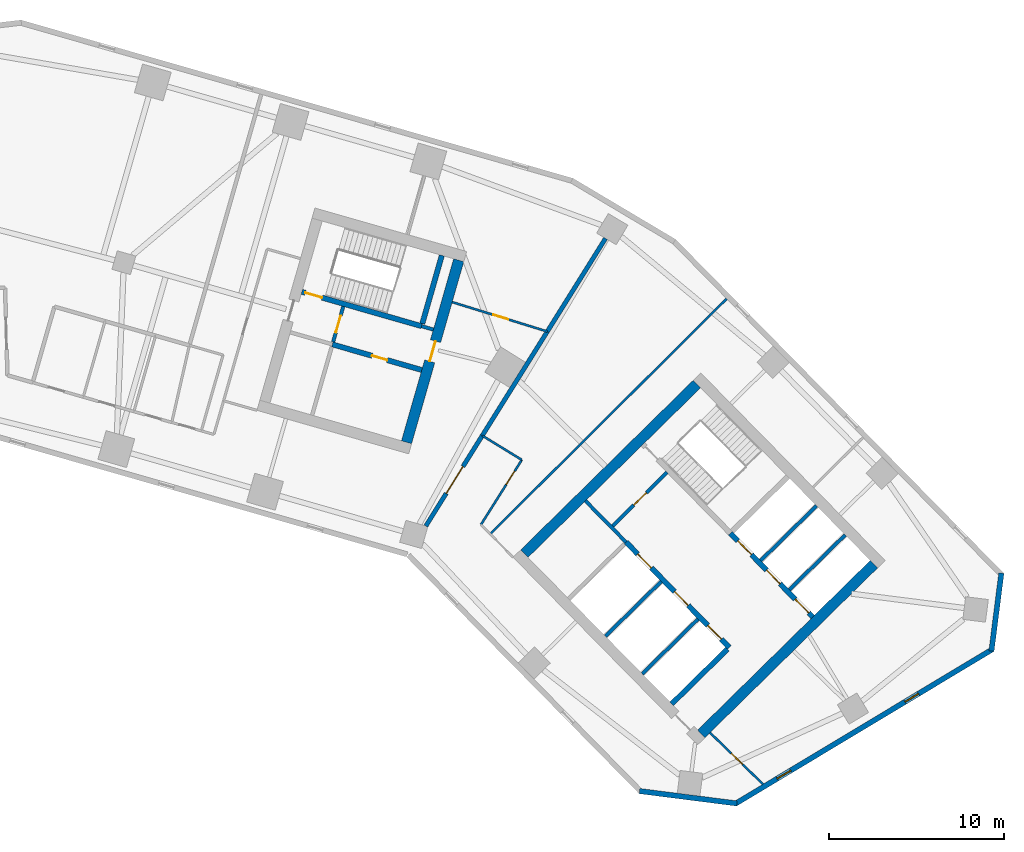
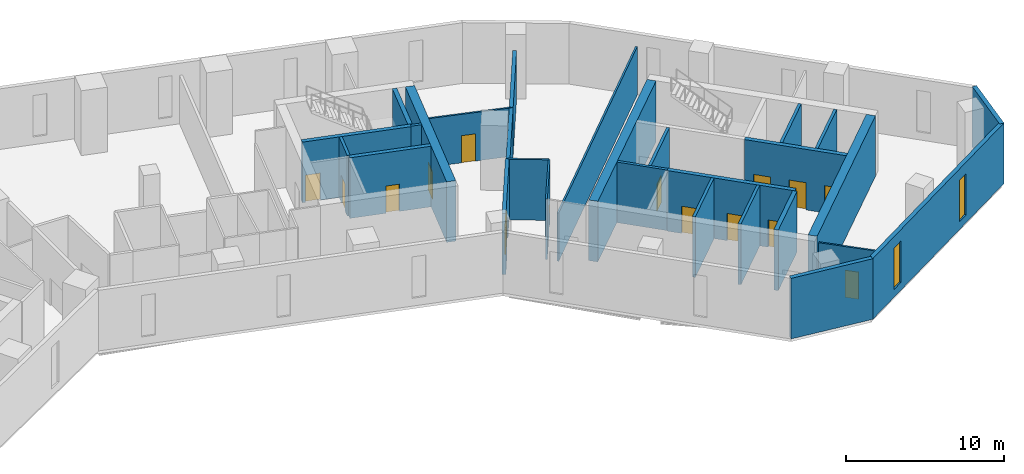
# One storey, part 6 of 10: 28 walls, 15 doors, 2 windows, 17 openings.
"""IFC4 building model written with IfcOpenShell, lengths in metres."""

from ifc_helpers import new_model, si_unit, direction, frame, frame_2d, origin, place, context, subcontext, project, spatial, rectangle, extrude, material, layer, layer_set, type_object, element, fill, save


model = new_model("IFC4")

# Units and contexts
model_context = context("Model", 3, precision=1e-05, world=origin(), true_north=direction((0.0, 1.0)))
body_context = subcontext(model_context, "Body", "Model", "MODEL_VIEW")
ifc_project = project(units=[si_unit("LENGTHUNIT", "METRE"), si_unit("AREAUNIT", "SQUARE_METRE"), si_unit("VOLUMEUNIT", "CUBIC_METRE"), si_unit("PLANEANGLEUNIT", "RADIAN"), si_unit("MASSUNIT", "GRAM", prefix="KILO")], contexts=[model_context])

# Site, building, storey
site_placement = place(None, origin())
site = spatial("IfcSite", under=ifc_project, at=site_placement, CompositionType="ELEMENT")
building_placement = place(site_placement, origin())
building = spatial("IfcBuilding", under=site, at=building_placement, Name="Binnacle Exchange Tower", CompositionType="ELEMENT")
storey_placement = place(building_placement, frame((0.0, 0.0, 61.5)))
storey = spatial("IfcBuildingStorey", under=building, at=storey_placement, Name="L12", CompositionType="ELEMENT", Elevation=61.5)

# Wall, openings, doors
ifc_material_1 = material(Name="Concrete C70/85", Category="concrete")
ifc_layer_1 = layer(ifc_material_1, 0.300048828125)
ifc_layer_set_1 = layer_set([ifc_layer_1], Name="Core wall - front 300")
wall_type_1 = type_object("IfcWallType", Name="Core wall - front 300", PredefinedType="SOLIDWALL", material=ifc_layer_set_1)
wall_1_placement = place(storey_placement, frame((37.8740234375, 41.41552734375, 0.0), z_axis=(0.0, 0.0, 1.0), x_axis=(0.700918271237, -0.71324159795, 0.0)))
wall_1 = element("IfcWall", 1, at=wall_1_placement, inside=storey, type_object=wall_type_1, Name="Core wall CRWB3", PredefinedType="SOLIDWALL", context=body_context, shape_type="SweptSolid", body=[
    extrude(rectangle(XDim=8.39990234375, YDim=0.300048828125, at=frame_2d((4.199951171875, 0.0))), origin(), (0.0, 0.0, 1.0), 4.679931640625),
])
opening_1_placement = place(wall_1_placement, frame((0.949951171875, 0.0, 0.0)))
opening_1 = element("IfcOpeningElement", 2, at=opening_1_placement, cuts=wall_1, Name="Opening LD15", PredefinedType="OPENING", context=body_context, shape_type="SweptSolid", body=[
    extrude(rectangle(XDim=1.10009765625, YDim=2.10009765625, at=frame_2d((0.550048828125, 1.050048828125))), frame((0.0, 0.159912109375, 0.0), z_axis=(0.0, -1.0, 0.0), x_axis=(1.0, 0.0, 0.0)), (0.0, 0.0, 1.0), 0.320068359375),
])
opening_2_placement = place(wall_1_placement, frame((3.949951171875, 0.0, 0.0)))
opening_2 = element("IfcOpeningElement", 3, at=opening_2_placement, cuts=wall_1, Name="Opening LD16", PredefinedType="OPENING", context=body_context, shape_type="SweptSolid", body=[
    extrude(rectangle(XDim=1.10009765625, YDim=2.10009765625, at=frame_2d((0.550048828125, 1.050048828125))), frame((0.0, 0.159912109375, 0.0), z_axis=(0.0, -1.0, 0.0), x_axis=(1.0, 0.0, 0.0)), (0.0, 0.0, 1.0), 0.320068359375),
])
opening_3_placement = place(wall_1_placement, frame((6.64990234375, 0.0, 0.0)))
opening_3 = element("IfcOpeningElement", 4, at=opening_3_placement, cuts=wall_1, Name="Opening LD4", PredefinedType="OPENING", context=body_context, shape_type="SweptSolid", body=[
    extrude(rectangle(XDim=1.10009765625, YDim=2.10009765625, at=frame_2d((0.550048828125, 1.050048828125))), frame((0.0, 0.159912109375, 0.0), z_axis=(0.0, -1.0, 0.0), x_axis=(1.0, 0.0, 0.0)), (0.0, 0.0, 1.0), 0.320068359375),
])
ifc_material_2 = material(Name="Steel door leaf", Category="steel")
door_type_1 = type_object("IfcDoorType", Name="Fire door - lift landing 1100", OperationType="NOTDEFINED", PredefinedType="DOOR", material=ifc_material_2)
door_1_placement = place(opening_1_placement, origin())
door_1 = element("IfcDoor", 5, at=door_1_placement, inside=storey, type_object=door_type_1, Name="Landing door LD15 L12", OperationType="DOUBLE_DOOR_SLIDING", OverallHeight=2.10009765625, OverallWidth=1.10009765625, PredefinedType="DOOR", context=body_context, shape_type="SweptSolid", body=[
    extrude(rectangle(XDim=1.10009765625, YDim=2.10009765625, at=frame_2d((0.550048828125, 1.050048828125))), frame((0.0, 0.02490234375, 0.0), z_axis=(0.0, -1.0, 0.0), x_axis=(1.0, 0.0, 0.0)), (0.0, 0.0, 1.0), 0.050048828125),
])
fill(opening_1, door_1)
door_2_placement = place(opening_2_placement, origin())
door_2 = element("IfcDoor", 6, at=door_2_placement, inside=storey, type_object=door_type_1, Name="Landing door LD16 L12", OperationType="DOUBLE_DOOR_SLIDING", OverallHeight=2.10009765625, OverallWidth=1.10009765625, PredefinedType="DOOR", context=body_context, shape_type="SweptSolid", body=[
    extrude(rectangle(XDim=1.10009765625, YDim=2.10009765625, at=frame_2d((0.550048828125, 1.050048828125))), frame((0.0, 0.02490234375, 0.0), z_axis=(0.0, -1.0, 0.0), x_axis=(1.0, 0.0, 0.0)), (0.0, 0.0, 1.0), 0.050048828125),
])
fill(opening_2, door_2)
door_3_placement = place(opening_3_placement, origin())
door_3 = element("IfcDoor", 7, at=door_3_placement, inside=storey, type_object=door_type_1, Name="Landing door LD4 L12", OperationType="DOUBLE_DOOR_SLIDING", OverallHeight=2.10009765625, OverallWidth=1.10009765625, PredefinedType="DOOR", context=body_context, shape_type="SweptSolid", body=[
    extrude(rectangle(XDim=1.10009765625, YDim=2.10009765625, at=frame_2d((0.550048828125, 1.050048828125))), frame((0.0, 0.02490234375, 0.0), z_axis=(0.0, -1.0, 0.0), x_axis=(1.0, 0.0, 0.0)), (0.0, 0.0, 1.0), 0.050048828125),
])
fill(opening_3, door_3)

wall_2_placement = place(storey_placement, frame((43.818603515625, 41.92919921875, 0.0), z_axis=(0.0, 0.0, 1.0), x_axis=(0.700921619155, -0.713238307862, 0.0)))
wall_2 = element("IfcWall", 8, at=wall_2_placement, inside=storey, type_object=wall_type_1, Name="Core wall CRWB5", PredefinedType="SOLIDWALL", context=body_context, shape_type="SweptSolid", body=[
    extrude(rectangle(XDim=6.69970703125, YDim=0.300048828125, at=frame_2d((3.349853515625, 0.0))), origin(), (0.0, 0.0, 1.0), 4.679931640625),
])
opening_4_placement = place(wall_2_placement, frame((0.614990234375, 0.0, 0.0)))
opening_4 = element("IfcOpeningElement", 9, at=opening_4_placement, cuts=wall_2, Name="Opening LD1", PredefinedType="OPENING", context=body_context, shape_type="SweptSolid", body=[
    extrude(rectangle(XDim=1.10009765625, YDim=2.10009765625, at=frame_2d((0.550048828125, 1.050048828125))), frame((0.0, 0.159912109375, 0.0), z_axis=(0.0, -1.0, 0.0), x_axis=(1.0, 0.0, 0.0)), (0.0, 0.0, 1.0), 0.320068359375),
])
opening_5_placement = place(wall_2_placement, frame((2.945068359375, 0.0, 0.0)))
opening_5 = element("IfcOpeningElement", 10, at=opening_5_placement, cuts=wall_2, Name="Opening LD2", PredefinedType="OPENING", context=body_context, shape_type="SweptSolid", body=[
    extrude(rectangle(XDim=1.10009765625, YDim=2.10009765625, at=frame_2d((0.550048828125, 1.050048828125))), frame((0.0, 0.159912109375, 0.0), z_axis=(0.0, -1.0, 0.0), x_axis=(1.0, 0.0, 0.0)), (0.0, 0.0, 1.0), 0.320068359375),
])
opening_6_placement = place(wall_2_placement, frame((5.280029296875, 0.0, 0.0)))
opening_6 = element("IfcOpeningElement", 11, at=opening_6_placement, cuts=wall_2, Name="Opening LD3", PredefinedType="OPENING", context=body_context, shape_type="SweptSolid", body=[
    extrude(rectangle(XDim=1.10009765625, YDim=2.10009765625, at=frame_2d((0.550048828125, 1.050048828125))), frame((0.0, 0.159912109375, 0.0), z_axis=(0.0, -1.0, 0.0), x_axis=(1.0, 0.0, 0.0)), (0.0, 0.0, 1.0), 0.320068359375),
])
door_4_placement = place(opening_4_placement, origin())
door_4 = element("IfcDoor", 12, at=door_4_placement, inside=storey, type_object=door_type_1, Name="Landing door LD1 L12", OperationType="DOUBLE_DOOR_SLIDING", OverallHeight=2.10009765625, OverallWidth=1.10009765625, PredefinedType="DOOR", context=body_context, shape_type="SweptSolid", body=[
    extrude(rectangle(XDim=1.10009765625, YDim=2.10009765625, at=frame_2d((0.550048828125, 1.050048828125))), frame((0.0, 0.02490234375, 0.0), z_axis=(0.0, -1.0, 0.0), x_axis=(1.0, 0.0, 0.0)), (0.0, 0.0, 1.0), 0.050048828125),
])
fill(opening_4, door_4)
door_5_placement = place(opening_5_placement, origin())
door_5 = element("IfcDoor", 13, at=door_5_placement, inside=storey, type_object=door_type_1, Name="Landing door LD2 L12", OperationType="DOUBLE_DOOR_SLIDING", OverallHeight=2.10009765625, OverallWidth=1.10009765625, PredefinedType="DOOR", context=body_context, shape_type="SweptSolid", body=[
    extrude(rectangle(XDim=1.10009765625, YDim=2.10009765625, at=frame_2d((0.550048828125, 1.050048828125))), frame((0.0, 0.02490234375, 0.0), z_axis=(0.0, -1.0, 0.0), x_axis=(1.0, 0.0, 0.0)), (0.0, 0.0, 1.0), 0.050048828125),
])
fill(opening_5, door_5)
door_6_placement = place(opening_6_placement, origin())
door_6 = element("IfcDoor", 14, at=door_6_placement, inside=storey, type_object=door_type_1, Name="Landing door LD3 L12", OperationType="DOUBLE_DOOR_SLIDING", OverallHeight=2.10009765625, OverallWidth=1.10009765625, PredefinedType="DOOR", context=body_context, shape_type="SweptSolid", body=[
    extrude(rectangle(XDim=1.10009765625, YDim=2.10009765625, at=frame_2d((0.550048828125, 1.050048828125))), frame((0.0, 0.02490234375, 0.0), z_axis=(0.0, -1.0, 0.0), x_axis=(1.0, 0.0, 0.0)), (0.0, 0.0, 1.0), 0.050048828125),
])
fill(opening_6, door_6)

# Wall
wall_3_placement = place(storey_placement, frame((40.480712890625, 32.199951171875, 0.0), z_axis=(0.0, 0.0, 1.0), x_axis=(0.713251741427, 0.700907949271, 0.0)))
element("IfcWall", 15, at=wall_3_placement, inside=storey, type_object=wall_type_1, Name="Core wall CRWB14", PredefinedType="SOLIDWALL", context=body_context, shape_type="SweptSolid", body=[
    extrude(rectangle(XDim=4.4501953125, YDim=0.300048828125, at=frame_2d((2.22509765625, 0.0))), origin(), (0.0, 0.0, 1.0), 4.679931640625),
])

# Wall, opening, door
wall_4_placement = place(storey_placement, frame((21.130859375, 52.6923828125, 0.0), z_axis=(0.0, 0.0, 1.0), x_axis=(0.961271492568, -0.275603188616, 0.0)))
wall_4 = element("IfcWall", 16, at=wall_4_placement, inside=storey, type_object=wall_type_1, Name="Core wall CRWD3", PredefinedType="SOLIDWALL", context=body_context, shape_type="SweptSolid", body=[
    extrude(rectangle(XDim=5.300048828125, YDim=0.300048828125, at=frame_2d((2.64990234375, 0.0))), origin(), (0.0, 0.0, 1.0), 4.679931640625),
])
opening_7_placement = place(wall_4_placement, frame((2.35009765625, 0.0, 0.0)))
opening_7 = element("IfcOpeningElement", 17, at=opening_7_placement, cuts=wall_4, Name="Opening DD10", PredefinedType="OPENING", context=body_context, shape_type="SweptSolid", body=[
    extrude(rectangle(XDim=0.89990234375, YDim=2.10009765625, at=frame_2d((0.449951171875, 1.050048828125))), frame((0.0, 0.159912109375, 0.0), z_axis=(0.0, -1.0, 0.0), x_axis=(1.0, 0.0, 0.0)), (0.0, 0.0, 1.0), 0.320068359375),
])
door_type_2 = type_object("IfcDoorType", Name="Fire door 900", OperationType="NOTDEFINED", PredefinedType="DOOR", material=ifc_material_2)
door_7_placement = place(opening_7_placement, frame((0.89990234375, 0.0, 0.0), z_axis=(0.0, 0.0, 1.0), x_axis=(-1.0, 0.0, 0.0)))
door_7 = element("IfcDoor", 18, at=door_7_placement, inside=storey, type_object=door_type_2, Name="Core room door PANTRY", OperationType="SINGLE_SWING_LEFT", OverallHeight=2.10009765625, OverallWidth=0.89990234375, PredefinedType="DOOR", context=body_context, shape_type="SweptSolid", body=[
    extrude(rectangle(XDim=0.89990234375, YDim=2.10009765625, at=frame_2d((0.449951171875, 1.050048828125))), frame((0.0, 0.02490234375, 0.0), z_axis=(0.0, -1.0, 0.0), x_axis=(1.0, 0.0, 0.0)), (0.0, 0.0, 1.0), 0.050048828125),
])
fill(opening_7, door_7)

# Walls
ifc_layer_2 = layer(ifc_material_1, 0.60009765625)
ifc_layer_set_2 = layer_set([ifc_layer_2], Name="Core wall - outer 600")
wall_type_2 = type_object("IfcWallType", Name="Core wall - outer 600", PredefinedType="SOLIDWALL", material=ifc_layer_set_2)
for number, where, z_axis, x_axis, name in (
    (19, (32.06982421875, 40.759033203125, 0.0), (0.0, 0.0, 1.0), (0.713245344712, 0.70091445858, 0.0), "Core wall CRWB7"),
    (20, (42.1630859375, 30.48828125, 0.0), (0.0, 0.0, 1.0), (0.713245344712, 0.70091445858, 0.0), "Core wall CRWB16"),
):
    element("IfcWall", number, at=place(storey_placement, frame(where, z_axis=z_axis, x_axis=x_axis)), inside=storey, type_object=wall_type_2, Name=name, PredefinedType="SOLIDWALL", context=body_context, shape_type="SweptSolid", body=[
        extrude(rectangle(XDim=13.800048828125, YDim=0.60009765625, at=frame_2d((6.89990234375, 0.0))), origin(), (0.0, 0.0, 1.0), 4.679931640625),
    ])

# Wall, opening, door
wall_5_placement = place(storey_placement, frame((25.356201171875, 47.111572265625, 0.0), z_axis=(0.0, 0.0, 1.0), x_axis=(0.275631631629, 0.961263337304, 0.0)))
wall_5 = element("IfcWall", 21, at=wall_5_placement, inside=storey, type_object=wall_type_2, Name="Core wall CRWD12", PredefinedType="SOLIDWALL", context=body_context, shape_type="SweptSolid", body=[
    extrude(rectangle(XDim=10.800048828125, YDim=0.60009765625, at=frame_2d((5.39990234375, 0.0))), origin(), (0.0, 0.0, 1.0), 4.679931640625),
])
opening_8_placement = place(wall_5_placement, frame((4.800048828125, 0.0, 0.0)))
opening_8 = element("IfcOpeningElement", 22, at=opening_8_placement, cuts=wall_5, Name="Opening DD6", PredefinedType="OPENING", context=body_context, shape_type="SweptSolid", body=[
    extrude(rectangle(XDim=1.199951171875, YDim=2.10009765625, at=frame_2d((0.60009765625, 1.050048828125))), frame((0.0, 0.31005859375, 0.0), z_axis=(0.0, -1.0, 0.0), x_axis=(1.0, 0.0, 0.0)), (0.0, 0.0, 1.0), 0.6201171875),
])
door_type_3 = type_object("IfcDoorType", Name="Fire door 1200", OperationType="NOTDEFINED", PredefinedType="DOOR", material=ifc_material_2)
door_8_placement = place(opening_8_placement, frame((1.199951171875, 0.0, 0.0), z_axis=(0.0, 0.0, 1.0), x_axis=(-1.0, 0.0, 0.0)))
door_8 = element("IfcDoor", 23, at=door_8_placement, inside=storey, type_object=door_type_3, Name="Core passage exit door", OperationType="SINGLE_SWING_LEFT", OverallHeight=2.10009765625, OverallWidth=1.199951171875, PredefinedType="DOOR", context=body_context, shape_type="SweptSolid", body=[
    extrude(rectangle(XDim=1.199951171875, YDim=2.10009765625, at=frame_2d((0.60009765625, 1.050048828125))), frame((0.0, 0.02490234375, 0.0), z_axis=(0.0, -1.0, 0.0), x_axis=(1.0, 0.0, 0.0)), (0.0, 0.0, 1.0), 0.050048828125),
])
fill(opening_8, door_8)

ifc_layer_3 = layer(ifc_material_1, 0.300048828125)
ifc_layer_set_3 = layer_set([ifc_layer_3], Name="Core wall - stair 300")
wall_type_3 = type_object("IfcWallType", Name="Core wall - stair 300", PredefinedType="SOLIDWALL", material=ifc_layer_set_3)
wall_6_placement = place(storey_placement, frame((19.38916015625, 55.688720703125, 0.0), z_axis=(0.0, 0.0, 1.0), x_axis=(0.961261397636, -0.275638396117, 0.0)))
wall_6 = element("IfcWall", 24, at=wall_6_placement, inside=storey, type_object=wall_type_3, Name="Core wall CRWD4", PredefinedType="SOLIDWALL", context=body_context, shape_type="SweptSolid", body=[
    extrude(rectangle(XDim=7.10009765625, YDim=0.300048828125, at=frame_2d((3.550048828125, 0.0))), origin(), (0.0, 0.0, 1.0), 4.679931640625),
])
opening_9_placement = place(wall_6_placement, frame((0.199951171875, 0.0, 0.0)))
opening_9 = element("IfcOpeningElement", 25, at=opening_9_placement, cuts=wall_6, Name="Opening DD1", PredefinedType="OPENING", context=body_context, shape_type="SweptSolid", body=[
    extrude(rectangle(XDim=1.0, YDim=2.10009765625, at=frame_2d((0.5, 1.050048828125))), frame((0.0, 0.159912109375, 0.0), z_axis=(0.0, -1.0, 0.0), x_axis=(1.0, 0.0, 0.0)), (0.0, 0.0, 1.0), 0.320068359375),
])
door_type_4 = type_object("IfcDoorType", Name="Fire door 1000", OperationType="NOTDEFINED", PredefinedType="DOOR", material=ifc_material_2)
door_9_placement = place(opening_9_placement, origin())
door_9 = element("IfcDoor", 26, at=door_9_placement, inside=storey, type_object=door_type_4, Name="Stair door ST-D1", OperationType="SINGLE_SWING_LEFT", OverallHeight=2.10009765625, OverallWidth=1.0, PredefinedType="DOOR", context=body_context, shape_type="SweptSolid", body=[
    extrude(rectangle(XDim=1.0, YDim=2.10009765625, at=frame_2d((0.5, 1.050048828125))), frame((0.0, 0.02490234375, 0.0), z_axis=(0.0, -1.0, 0.0), x_axis=(1.0, 0.0, 0.0)), (0.0, 0.0, 1.0), 0.050048828125),
])
fill(opening_9, door_9)

# Walls
wall_7_placement = place(storey_placement, frame((26.255615234375, 53.875732421875, 0.0), z_axis=(0.0, 0.0, 1.0), x_axis=(0.275612739511, 0.961268754209, 0.0)))
element("IfcWall", 27, at=wall_7_placement, inside=storey, type_object=wall_type_3, Name="Core wall CRWD11", PredefinedType="SOLIDWALL", context=body_context, shape_type="SweptSolid", body=[
    extrude(rectangle(XDim=4.0498046875, YDim=0.300048828125, at=frame_2d((2.02490234375, 0.0))), origin(), (0.0, 0.0, 1.0), 4.679931640625),
])
ifc_material_3 = material(Name="Bronze aluminium cladding", Category="aluminium")
ifc_layer_4 = layer(ifc_material_3, 0.300048828125)
ifc_layer_set_4 = layer_set([ifc_layer_4], Name="External wall - spandrel 300")
wall_type_4 = type_object("IfcWallType", Name="External wall - spandrel 300", PredefinedType="STANDARD", material=ifc_layer_set_4)
wall_8_placement = place(storey_placement, frame((44.19580078125, 26.517822265625, 0.0), z_axis=(0.0, 0.0, 1.0), x_axis=(-0.992001881269, 0.126223086474, 0.0)))
element("IfcWall", 28, at=wall_8_placement, inside=storey, type_object=wall_type_4, Name="External wall EW-F10 L12", PredefinedType="STANDARD", context=body_context, shape_type="SweptSolid", body=[
    extrude(rectangle(XDim=5.6015625, YDim=0.300048828125, at=frame_2d((2.80078125, 0.0))), origin(), (0.0, 0.0, 1.0), 4.679931640625),
])

# Wall, openings, windows
wall_9_placement = place(storey_placement, frame((58.7783203125, 35.317626953125, 0.0), z_axis=(0.0, 0.0, 1.0), x_axis=(-0.857168206138, -0.515036568009, 0.0)))
wall_9 = element("IfcWall", 29, at=wall_9_placement, inside=storey, type_object=wall_type_4, Name="External wall EW-F11 L12", PredefinedType="STANDARD", context=body_context, shape_type="SweptSolid", body=[
    extrude(rectangle(XDim=17.124755859375, YDim=0.300048828125, at=frame_2d((8.5625, 0.0))), origin(), (0.0, 0.0, 1.0), 4.679931640625),
])
opening_10_placement = place(wall_9_placement, frame((13.435302734375, 0.0, 0.60009765625)))
opening_10 = element("IfcOpeningElement", 30, at=opening_10_placement, cuts=wall_9, Name="Opening WS1", PredefinedType="OPENING", context=body_context, shape_type="SweptSolid", body=[
    extrude(rectangle(XDim=0.89990234375, YDim=3.199951171875, at=frame_2d((0.449951171875, 1.60009765625))), frame((0.0, 0.159912109375, 0.0), z_axis=(0.0, -1.0, 0.0), x_axis=(1.0, 0.0, 0.0)), (0.0, 0.0, 1.0), 0.320068359375),
])
opening_11_placement = place(wall_9_placement, frame((4.935302734375, 0.0, 0.60009765625)))
opening_11 = element("IfcOpeningElement", 31, at=opening_11_placement, cuts=wall_9, Name="Opening WS1", PredefinedType="OPENING", context=body_context, shape_type="SweptSolid", body=[
    extrude(rectangle(XDim=0.89990234375, YDim=3.199951171875, at=frame_2d((0.449951171875, 1.60009765625))), frame((0.0, 0.159912109375, 0.0), z_axis=(0.0, -1.0, 0.0), x_axis=(1.0, 0.0, 0.0)), (0.0, 0.0, 1.0), 0.320068359375),
])
ifc_material_4 = material(Name="Bronze anodised aluminium frame", Category="aluminium")
window_type = type_object("IfcWindowType", Name="WS1 WINDOW 900x3200", PartitioningType="SINGLE_PANEL", PredefinedType="WINDOW", material=ifc_material_4)
window_1_placement = place(opening_10_placement, origin())
window_1 = element("IfcWindow", 32, at=window_1_placement, inside=storey, type_object=window_type, Name="Window WS1 L12", OverallHeight=3.199951171875, OverallWidth=0.89990234375, PartitioningType="SINGLE_PANEL", PredefinedType="WINDOW", context=body_context, shape_type="SweptSolid", body=[
    extrude(rectangle(XDim=0.89990234375, YDim=3.199951171875, at=frame_2d((0.449951171875, 1.60009765625))), frame((0.0, 0.030029296875, 0.0), z_axis=(0.0, -1.0, 0.0), x_axis=(1.0, 0.0, 0.0)), (0.0, 0.0, 1.0), 0.06005859375),
])
fill(opening_10, window_1)
window_2_placement = place(opening_11_placement, origin())
window_2 = element("IfcWindow", 33, at=window_2_placement, inside=storey, type_object=window_type, Name="Window WS1 L12", OverallHeight=3.199951171875, OverallWidth=0.89990234375, PartitioningType="SINGLE_PANEL", PredefinedType="WINDOW", context=body_context, shape_type="SweptSolid", body=[
    extrude(rectangle(XDim=0.89990234375, YDim=3.199951171875, at=frame_2d((0.449951171875, 1.60009765625))), frame((0.0, 0.030029296875, 0.0), z_axis=(0.0, -1.0, 0.0), x_axis=(1.0, 0.0, 0.0)), (0.0, 0.0, 1.0), 0.06005859375),
])
fill(opening_11, window_2)

# Wall
wall_10_placement = place(storey_placement, frame((59.27197265625, 39.6513671875, 0.0), z_axis=(0.0, 0.0, 1.0), x_axis=(-0.126181137886, -0.992007217938, 0.0)))
element("IfcWall", 34, at=wall_10_placement, inside=storey, type_object=wall_type_4, Name="External wall EW-F12 L12", PredefinedType="STANDARD", context=body_context, shape_type="SweptSolid", body=[
    extrude(rectangle(XDim=4.479248046875, YDim=0.300048828125, at=frame_2d((2.23974609375, 0.0))), origin(), (0.0, 0.0, 1.0), 4.679931640625),
])

# Wall, opening, door
ifc_material_5 = material(Name="Concrete fire wall C30/37", Category="concrete")
ifc_layer_5 = layer(ifc_material_5, 0.25)
ifc_layer_set_5 = layer_set([ifc_layer_5], Name="Fire wall - compartment 250")
wall_type_5 = type_object("IfcWallType", Name="Fire wall - compartment 250", PredefinedType="PARTITIONING", material=ifc_layer_set_5)
wall_11_placement = place(storey_placement, frame((26.4560546875, 42.337890625, 0.0), z_axis=(0.0, 0.0, 1.0), x_axis=(0.52980027265, 0.848122438743, 0.0)))
wall_11 = element("IfcWall", 35, at=wall_11_placement, inside=storey, type_object=wall_type_5, Name="Fire Wall W35", PredefinedType="PARTITIONING", context=body_context, shape_type="SweptSolid", body=[
    extrude(rectangle(XDim=6.075927734375, YDim=0.25, at=frame_2d((3.0380859375, 0.0))), origin(), (0.0, 0.0, 1.0), 4.679931640625),
])
opening_12_placement = place(wall_11_placement, frame((2.199951171875, 0.0, 0.0)))
opening_12 = element("IfcOpeningElement", 36, at=opening_12_placement, cuts=wall_11, Name="Opening DL11-15", PredefinedType="OPENING", context=body_context, shape_type="SweptSolid", body=[
    extrude(rectangle(XDim=1.800048828125, YDim=2.10009765625, at=frame_2d((0.89990234375, 1.050048828125))), frame((0.0, 0.135009765625, 0.0), z_axis=(0.0, -1.0, 0.0), x_axis=(1.0, 0.0, 0.0)), (0.0, 0.0, 1.0), 0.27001953125),
])
door_type_5 = type_object("IfcDoorType", Name="Fire door 1800", OperationType="NOTDEFINED", PredefinedType="DOOR", material=ifc_material_2)
door_10_placement = place(opening_12_placement, origin())
door_10 = element("IfcDoor", 37, at=door_10_placement, inside=storey, type_object=door_type_5, Name="Door DL11-15", OperationType="DOUBLE_DOOR_SINGLE_SWING", OverallHeight=2.10009765625, OverallWidth=1.800048828125, PredefinedType="DOOR", context=body_context, shape_type="SweptSolid", body=[
    extrude(rectangle(XDim=1.800048828125, YDim=2.10009765625, at=frame_2d((0.89990234375, 1.050048828125))), frame((0.0, 0.02490234375, 0.0), z_axis=(0.0, -1.0, 0.0), x_axis=(1.0, 0.0, 0.0)), (0.0, 0.0, 1.0), 0.050048828125),
])
fill(opening_12, door_10)

# Walls
wall_12_placement = place(storey_placement, frame((29.675048828125, 47.490966796875, 0.0), z_axis=(0.0, 0.0, 1.0), x_axis=(0.529992669945, 0.848002222759, 0.0)))
element("IfcWall", 38, at=wall_12_placement, inside=storey, type_object=wall_type_5, Name="Fire Wall W40", PredefinedType="PARTITIONING", context=body_context, shape_type="SweptSolid", body=[
    extrude(rectangle(XDim=7.0, YDim=0.25, at=frame_2d((3.5, 0.0))), origin(), (0.0, 0.0, 1.0), 3.741943359375),
])
wall_13_placement = place(storey_placement, frame((33.385009765625, 53.427001953125, 0.0), z_axis=(0.0, 0.0, 1.0), x_axis=(0.529897235032, 0.848061861131, 0.0)))
element("IfcWall", 39, at=wall_13_placement, inside=storey, type_object=wall_type_5, Name="Fire Wall W43", PredefinedType="PARTITIONING", context=body_context, shape_type="SweptSolid", body=[
    extrude(rectangle(XDim=6.257568359375, YDim=0.25, at=frame_2d((3.12890625, 0.0))), origin(), (0.0, 0.0, 1.0), 3.741943359375),
])

# Wall, opening, door
ifc_material_6 = material(Name="Masonry block wall", Category="masonry")
ifc_layer_6 = layer(ifc_material_6, 0.199951171875)
ifc_layer_set_6 = layer_set([ifc_layer_6], Name="Fire wall - vestibule 200")
wall_type_6 = type_object("IfcWallType", Name="Fire wall - vestibule 200", PredefinedType="PARTITIONING", material=ifc_layer_set_6)
wall_14_placement = place(storey_placement, frame((37.104248046875, 42.341552734375, 0.0), z_axis=(0.0, 0.0, 1.0), x_axis=(0.713281298468, 0.700877870428, 0.0)))
wall_14 = element("IfcWall", 40, at=wall_14_placement, inside=storey, type_object=wall_type_6, Name="Core wall CRWB8", PredefinedType="PARTITIONING", context=body_context, shape_type="SweptSolid", body=[
    extrude(rectangle(XDim=4.35009765625, YDim=0.199951171875, at=frame_2d((2.175048828125, 0.0))), origin(), (0.0, 0.0, 1.0), 4.679931640625),
])
opening_13_placement = place(wall_14_placement, frame((1.699951171875, 0.0, 0.0)))
opening_13 = element("IfcOpeningElement", 41, at=opening_13_placement, cuts=wall_14, Name="Opening DB3", PredefinedType="OPENING", context=body_context, shape_type="SweptSolid", body=[
    extrude(rectangle(XDim=1.0, YDim=2.10009765625, at=frame_2d((0.5, 1.050048828125))), frame((0.0, 0.10986328125, 0.0), z_axis=(0.0, -1.0, 0.0), x_axis=(1.0, 0.0, 0.0)), (0.0, 0.0, 1.0), 0.219970703125),
])
door_11_placement = place(opening_13_placement, origin())
door_11 = element("IfcDoor", 42, at=door_11_placement, inside=storey, type_object=door_type_4, Name="Vestibule door VEST-W", OperationType="SINGLE_SWING_RIGHT", OverallHeight=2.10009765625, OverallWidth=1.0, PredefinedType="DOOR", context=body_context, shape_type="SweptSolid", body=[
    extrude(rectangle(XDim=1.0, YDim=2.10009765625, at=frame_2d((0.5, 1.050048828125))), frame((0.0, 0.02490234375, 0.0), z_axis=(0.0, -1.0, 0.0), x_axis=(1.0, 0.0, 0.0)), (0.0, 0.0, 1.0), 0.050048828125),
])
fill(opening_13, door_11)

wall_15_placement = place(storey_placement, frame((21.172119140625, 52.836669921875, 0.0), z_axis=(0.0, 0.0, 1.0), x_axis=(0.275657676022, 0.961255868981, 0.0)))
wall_15 = element("IfcWall", 43, at=wall_15_placement, inside=storey, type_object=wall_type_6, Name="Core wall CRWD9", PredefinedType="PARTITIONING", context=body_context, shape_type="SweptSolid", body=[
    extrude(rectangle(XDim=2.099853515625, YDim=0.199951171875, at=frame_2d((1.0498046875, 0.0))), origin(), (0.0, 0.0, 1.0), 4.679931640625),
])
opening_14_placement = place(wall_15_placement, frame((0.550048828125, 0.0, 0.0)))
opening_14 = element("IfcOpeningElement", 44, at=opening_14_placement, cuts=wall_15, Name="Opening DD3", PredefinedType="OPENING", context=body_context, shape_type="SweptSolid", body=[
    extrude(rectangle(XDim=1.0, YDim=2.10009765625, at=frame_2d((0.5, 1.050048828125))), frame((0.0, 0.10986328125, 0.0), z_axis=(0.0, -1.0, 0.0), x_axis=(1.0, 0.0, 0.0)), (0.0, 0.0, 1.0), 0.219970703125),
])
door_12_placement = place(opening_14_placement, origin())
door_12 = element("IfcDoor", 45, at=door_12_placement, inside=storey, type_object=door_type_4, Name="Vestibule door VEST-W", OperationType="SINGLE_SWING_RIGHT", OverallHeight=2.10009765625, OverallWidth=1.0, PredefinedType="DOOR", context=body_context, shape_type="SweptSolid", body=[
    extrude(rectangle(XDim=1.0, YDim=2.10009765625, at=frame_2d((0.5, 1.050048828125))), frame((0.0, 0.02490234375, 0.0), z_axis=(0.0, -1.0, 0.0), x_axis=(1.0, 0.0, 0.0)), (0.0, 0.0, 1.0), 0.050048828125),
])
fill(opening_14, door_12)

ifc_material_7 = material(Name="Gypsum partition")
ifc_layer_7 = layer(ifc_material_7, 0.125)
ifc_layer_set_7 = layer_set([ifc_layer_7], Name="Partition 125")
wall_type_7 = type_object("IfcWallType", Name="Partition 125", PredefinedType="PARTITIONING", material=ifc_layer_set_7)
wall_16_placement = place(storey_placement, frame((27.9599609375, 55.10302734375, 0.0), z_axis=(0.0, 0.0, 1.0), x_axis=(0.955442775069, -0.29517639399, 0.0)))
wall_16 = element("IfcWall", 46, at=wall_16_placement, inside=storey, type_object=wall_type_7, Name="Partition W36", PredefinedType="PARTITIONING", context=body_context, shape_type="SweptSolid", body=[
    extrude(rectangle(XDim=5.677978515625, YDim=0.125, at=frame_2d((2.8388671875, 0.0))), origin(), (0.0, 0.0, 1.0), 3.748046875),
])
opening_15_placement = place(wall_16_placement, frame((2.449951171875, 0.0, 0.0)))
opening_15 = element("IfcOpeningElement", 47, at=opening_15_placement, cuts=wall_16, Name="Opening DL11-10", PredefinedType="OPENING", context=body_context, shape_type="SweptSolid", body=[
    extrude(rectangle(XDim=0.89990234375, YDim=2.10009765625, at=frame_2d((0.449951171875, 1.050048828125))), frame((0.0, 0.072509765625, 0.0), z_axis=(0.0, -1.0, 0.0), x_axis=(1.0, 0.0, 0.0)), (0.0, 0.0, 1.0), 0.14501953125),
])
ifc_material_8 = material(Name="Timber door leaf", Category="wood")
door_type_6 = type_object("IfcDoorType", Name="Door 900", OperationType="NOTDEFINED", PredefinedType="DOOR", material=ifc_material_8)
door_13_placement = place(opening_15_placement, origin())
door_13 = element("IfcDoor", 48, at=door_13_placement, inside=storey, type_object=door_type_6, Name="Door DL11-10", OperationType="SINGLE_SWING_RIGHT", OverallHeight=2.10009765625, OverallWidth=0.89990234375, PredefinedType="DOOR", context=body_context, shape_type="SweptSolid", body=[
    extrude(rectangle(XDim=0.89990234375, YDim=2.10009765625, at=frame_2d((0.449951171875, 1.050048828125))), frame((0.0, 0.02490234375, 0.0), z_axis=(0.0, -1.0, 0.0), x_axis=(1.0, 0.0, 0.0)), (0.0, 0.0, 1.0), 0.050048828125),
])
fill(opening_15, door_13)

wall_17_placement = place(storey_placement, frame((29.60009765625, 42.416015625, 0.0), z_axis=(0.0, 0.0, 1.0), x_axis=(0.533582711531, 0.84574788794, 0.0)))
wall_17 = element("IfcWall", 49, at=wall_17_placement, inside=storey, type_object=wall_type_7, Name="Partition W38", PredefinedType="PARTITIONING", context=body_context, shape_type="SweptSolid", body=[
    extrude(rectangle(XDim=4.366455078125, YDim=0.125, at=frame_2d((2.18310546875, 0.0))), origin(), (0.0, 0.0, 1.0), 4.679931640625),
])
opening_16_placement = place(wall_17_placement, frame((2.699951171875, 0.0, 0.0)))
opening_16 = element("IfcOpeningElement", 50, at=opening_16_placement, cuts=wall_17, Name="Opening DL11-11", PredefinedType="OPENING", context=body_context, shape_type="SweptSolid", body=[
    extrude(rectangle(XDim=0.89990234375, YDim=2.10009765625, at=frame_2d((0.449951171875, 1.050048828125))), frame((0.0, 0.072509765625, 0.0), z_axis=(0.0, -1.0, 0.0), x_axis=(1.0, 0.0, 0.0)), (0.0, 0.0, 1.0), 0.14501953125),
])
door_14_placement = place(opening_16_placement, frame((0.89990234375, 0.0, 0.0), z_axis=(0.0, 0.0, 1.0), x_axis=(-1.0, 0.0, 0.0)))
door_14 = element("IfcDoor", 51, at=door_14_placement, inside=storey, type_object=door_type_6, Name="Door DL11-11", OperationType="SINGLE_SWING_LEFT", OverallHeight=2.10009765625, OverallWidth=0.89990234375, PredefinedType="DOOR", context=body_context, shape_type="SweptSolid", body=[
    extrude(rectangle(XDim=0.89990234375, YDim=2.10009765625, at=frame_2d((0.449951171875, 1.050048828125))), frame((0.0, 0.02490234375, 0.0), z_axis=(0.0, -1.0, 0.0), x_axis=(1.0, 0.0, 0.0)), (0.0, 0.0, 1.0), 0.050048828125),
])
fill(opening_16, door_14)

# Walls
wall_18_placement = place(storey_placement, frame((29.675048828125, 47.490966796875, 0.0), z_axis=(0.0, 0.0, 1.0), x_axis=(0.852591965232, -0.522577210392, 0.0)))
element("IfcWall", 52, at=wall_18_placement, inside=storey, type_object=wall_type_7, Name="Partition W39", PredefinedType="PARTITIONING", context=body_context, shape_type="SweptSolid", body=[
    extrude(rectangle(XDim=2.644775390625, YDim=0.125, at=frame_2d((1.322265625, 0.0))), origin(), (0.0, 0.0, 1.0), 4.679931640625),
])
wall_19_placement = place(storey_placement, frame((30.1259765625, 41.882080078125, 0.0), z_axis=(0.0, 0.0, 1.0), x_axis=(0.709029789155, 0.705178529233, 0.0)))
element("IfcWall", 53, at=wall_19_placement, inside=storey, type_object=wall_type_7, Name="Partition W42", PredefinedType="PARTITIONING", context=body_context, shape_type="SweptSolid", body=[
    extrude(rectangle(XDim=19.017822265625, YDim=0.125, at=frame_2d((9.5087890625, 0.0))), origin(), (0.0, 0.0, 1.0), 3.741943359375),
])

# Wall, opening, door
wall_20_placement = place(storey_placement, frame((42.658935546875, 30.554931640625, 0.0), z_axis=(0.0, 0.0, 1.0), x_axis=(0.716925671772, -0.697149611743, 0.0)))
wall_20 = element("IfcWall", 54, at=wall_20_placement, inside=storey, type_object=wall_type_7, Name="Partition W44", PredefinedType="PARTITIONING", context=body_context, shape_type="SweptSolid", body=[
    extrude(rectangle(XDim=4.209716796875, YDim=0.125, at=frame_2d((2.10498046875, 0.0))), origin(), (0.0, 0.0, 1.0), 3.951904296875),
])
opening_17_placement = place(wall_20_placement, frame((1.699951171875, 0.0, 0.0)))
opening_17 = element("IfcOpeningElement", 55, at=opening_17_placement, cuts=wall_20, Name="Opening DL11-13", PredefinedType="OPENING", context=body_context, shape_type="SweptSolid", body=[
    extrude(rectangle(XDim=0.89990234375, YDim=2.10009765625, at=frame_2d((0.449951171875, 1.050048828125))), frame((0.0, 0.072509765625, 0.0), z_axis=(0.0, -1.0, 0.0), x_axis=(1.0, 0.0, 0.0)), (0.0, 0.0, 1.0), 0.14501953125),
])
door_15_placement = place(opening_17_placement, origin())
door_15 = element("IfcDoor", 56, at=door_15_placement, inside=storey, type_object=door_type_6, Name="Door DL11-13", OperationType="SINGLE_SWING_RIGHT", OverallHeight=2.10009765625, OverallWidth=0.89990234375, PredefinedType="DOOR", context=body_context, shape_type="SweptSolid", body=[
    extrude(rectangle(XDim=0.89990234375, YDim=2.10009765625, at=frame_2d((0.449951171875, 1.050048828125))), frame((0.0, 0.02490234375, 0.0), z_axis=(0.0, -1.0, 0.0), x_axis=(1.0, 0.0, 0.0)), (0.0, 0.0, 1.0), 0.050048828125),
])
fill(opening_17, door_15)

# Walls
ifc_layer_8 = layer(ifc_material_6, 0.199951171875)
ifc_layer_set_8 = layer_set([ifc_layer_8], Name="Riser wall 200")
wall_type_8 = type_object("IfcWallType", Name="Riser wall 200", PredefinedType="SOLIDWALL", material=ifc_layer_set_8)
wall_21_placement = place(storey_placement, frame((35.56103515625, 43.769287109375, 0.0), z_axis=(0.0, 0.0, 1.0), x_axis=(0.70090232736, -0.713257266, 0.0)))
element("IfcWall", 57, at=wall_21_placement, inside=storey, type_object=wall_type_8, Name="Core wall CRWB2", PredefinedType="SOLIDWALL", context=body_context, shape_type="SweptSolid", body=[
    extrude(rectangle(XDim=3.300048828125, YDim=0.199951171875, at=frame_2d((1.64990234375, 0.0))), origin(), (0.0, 0.0, 1.0), 4.679931640625),
])
wall_22_placement = place(storey_placement, frame((26.214111328125, 53.731689453125, 0.0), z_axis=(0.0, 0.0, 1.0), x_axis=(0.96122076476, -0.27578005982, 0.0)))
element("IfcWall", 58, at=wall_22_placement, inside=storey, type_object=wall_type_8, Name="Core wall CRWD5", PredefinedType="SOLIDWALL", context=body_context, shape_type="SweptSolid", body=[
    extrude(rectangle(XDim=0.7001953125, YDim=0.199951171875, at=frame_2d((0.35009765625, 0.0))), origin(), (0.0, 0.0, 1.0), 4.679931640625),
])
ifc_layer_9 = layer(ifc_material_6, 0.199951171875)
ifc_layer_set_9 = layer_set([ifc_layer_9], Name="Shaft wall 200")
wall_type_9 = type_object("IfcWallType", Name="Shaft wall 200", PredefinedType="SOLIDWALL", material=ifc_layer_set_9)
for number, where, z_axis, x_axis, name in (
    (59, (36.69580078125, 36.051513671875, 0.0), (0.0, 0.0, 1.0), (0.713251741427, 0.700907949271, 0.0), "Core wall CRWB10"),
    (60, (38.798583984375, 33.911865234375, 0.0), (0.0, 0.0, 1.0), (0.713251741427, 0.700907949271, 0.0), "Core wall CRWB12"),
    (61, (45.55859375, 40.37255859375, 0.0), (0.0, 0.0, 1.0), (0.713251741427, 0.700907949271, 0.0), "Core wall CRWB13"),
    (62, (47.191650390625, 38.710693359375, 0.0), (0.0, 0.0, 1.0), (0.713251741427, 0.700907949271, 0.0), "Core wall CRWB15"),
):
    element("IfcWall", number, at=place(storey_placement, frame(where, z_axis=z_axis, x_axis=x_axis)), inside=storey, type_object=wall_type_9, Name=name, PredefinedType="SOLIDWALL", context=body_context, shape_type="SweptSolid", body=[
        extrude(rectangle(XDim=4.4501953125, YDim=0.199951171875, at=frame_2d((2.22509765625, 0.0))), origin(), (0.0, 0.0, 1.0), 4.679931640625),
    ])

save(model, "model.ifc")
